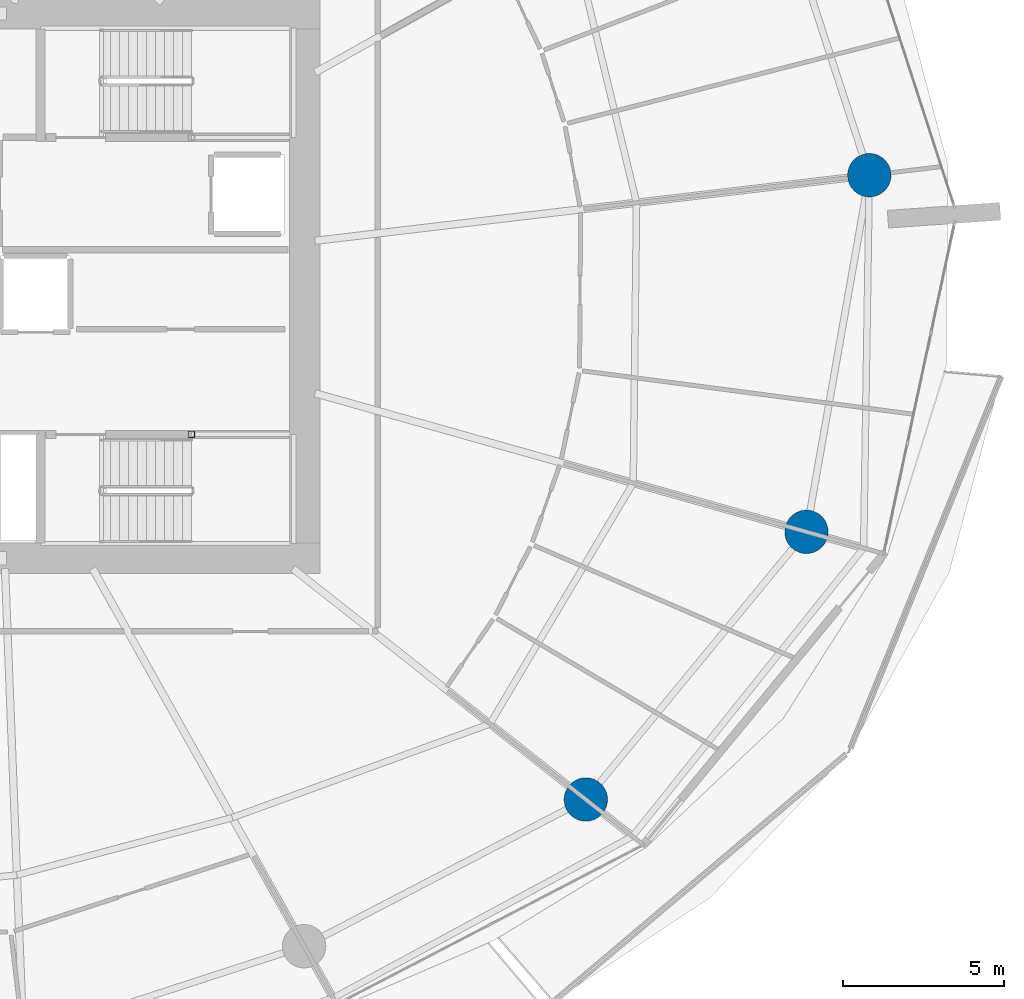
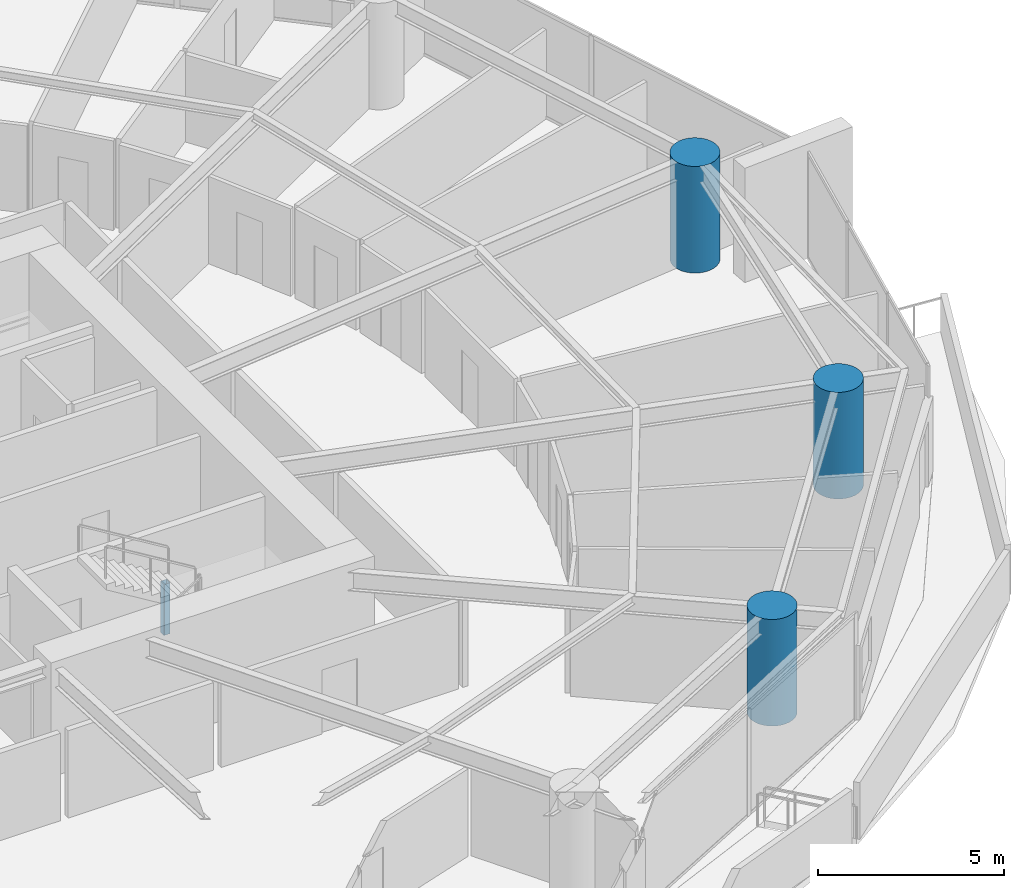
# One storey, part 3 of 31: 4 columns.
"""IFC4 building model written with IfcOpenShell, lengths in metres."""

from ifc_helpers import new_model, si_unit, direction, frame, origin, origin_2d, place, context, subcontext, project, spatial, hollow_rectangle, circle, extrude, material, material_profile, profile_set, type_object, element, save


model = new_model("IFC4")

# Units and contexts
model_context = context("Model", 3, precision=1e-05, world=origin(), true_north=direction((0.0, 1.0)))
body_context = subcontext(model_context, "Body", "Model", "MODEL_VIEW")
ifc_project = project(units=[si_unit("LENGTHUNIT", "METRE"), si_unit("AREAUNIT", "SQUARE_METRE"), si_unit("VOLUMEUNIT", "CUBIC_METRE"), si_unit("PLANEANGLEUNIT", "RADIAN"), si_unit("MASSUNIT", "GRAM", prefix="KILO")], contexts=[model_context])

# Site, building, storey
site_placement = place(None, origin())
site = spatial("IfcSite", under=ifc_project, at=site_placement, CompositionType="ELEMENT")
building_placement = place(site_placement, origin())
building = spatial("IfcBuilding", under=site, at=building_placement, Name="Kazma Halo Residences", CompositionType="ELEMENT")
storey_placement = place(building_placement, frame((0.0, 0.0, 37.64990234375)))
storey = spatial("IfcBuildingStorey", under=building, at=storey_placement, Name="L08", CompositionType="ELEMENT", Elevation=37.64990234375)

# Columns
ifc_material_1 = material(Name="Steel S355", Category="steel")
ifc_material_profile_1 = material_profile(ifc_material_1, hollow_rectangle(XDim=0.199951171875, YDim=0.199951171875, WallThickness=0.010009765625, InnerFilletRadius=0.010009765625, OuterFilletRadius=0.02001953125, at=origin_2d()), Name="SHS200x200x10")
ifc_profile_set_1 = profile_set([ifc_material_profile_1], Name="Steel S355")
column_type_1 = type_object("IfcColumnType", Name="COL-LP-SHS200", PredefinedType="COLUMN", material=ifc_profile_set_1)
column_placement = place(storey_placement, frame((56.0, 37.3798828125, 0.0), z_axis=(0.0, 0.0, 1.0), x_axis=(1.0, 0.0, 0.0)))
element("IfcColumn", 1, at=column_placement, inside=storey, type_object=column_type_1, Name="L08 ST-03 landing pilaster 1", PredefinedType="COLUMN", context=body_context, shape_type="SweptSolid", body=[
    extrude(hollow_rectangle(XDim=0.199951171875, YDim=0.199951171875, WallThickness=0.010009765625, InnerFilletRadius=0.010009765625, OuterFilletRadius=0.02001953125, at=origin_2d()), origin(), (0.0, 0.0, 1.0), 1.670166015625),
])
ifc_material_2 = material(Name="Concrete C80/95", Category="concrete")
ifc_material_profile_2 = material_profile(ifc_material_2, circle(Radius=0.675048828125, at=origin_2d()), Name="CIRC1350")
ifc_profile_set_2 = profile_set([ifc_material_profile_2], Name="Concrete C80/95")
column_type_2 = type_object("IfcColumnType", Name="COL-PERIM-1350", PredefinedType="COLUMN", material=ifc_profile_set_2)
for number, where, z_axis, x_axis, name in (
    (2, (68.27587890625, 26.015869140625, 0.0), (0.0, 0.0, 1.0), (1.0, 0.0, 0.0), "L08 perimeter ring column P14"),
    (3, (75.140869140625, 34.345458984375, 0.0), (0.0, 0.0, 1.0), (1.0, 0.0, 0.0), "L08 perimeter ring column P15"),
    (4, (77.097900390625, 45.444091796875, 0.0), (0.0, 0.0, 1.0), (1.0, 0.0, 0.0), "L08 perimeter ring column P16"),
):
    element("IfcColumn", number, at=place(storey_placement, frame(where, z_axis=z_axis, x_axis=x_axis)), inside=storey, type_object=column_type_2, Name=name, PredefinedType="COLUMN", context=body_context, shape_type="SweptSolid", body=[
        extrude(circle(Radius=0.675048828125, at=origin_2d()), origin(), (0.0, 0.0, 1.0), 3.5),
    ])

save(model, "model.ifc")
